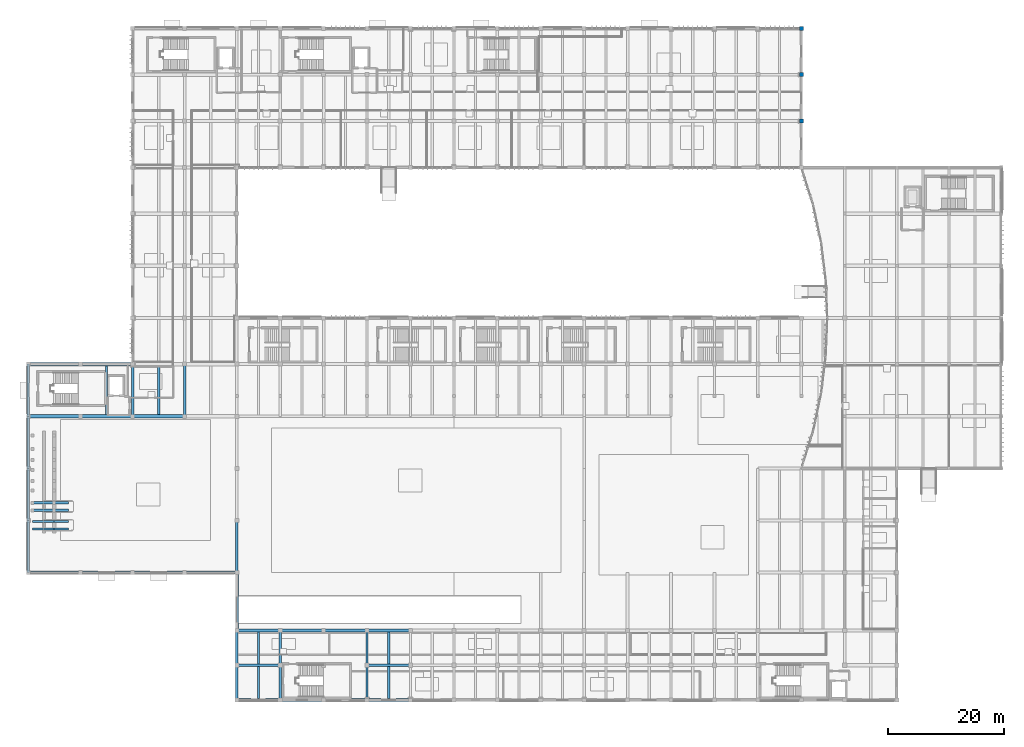
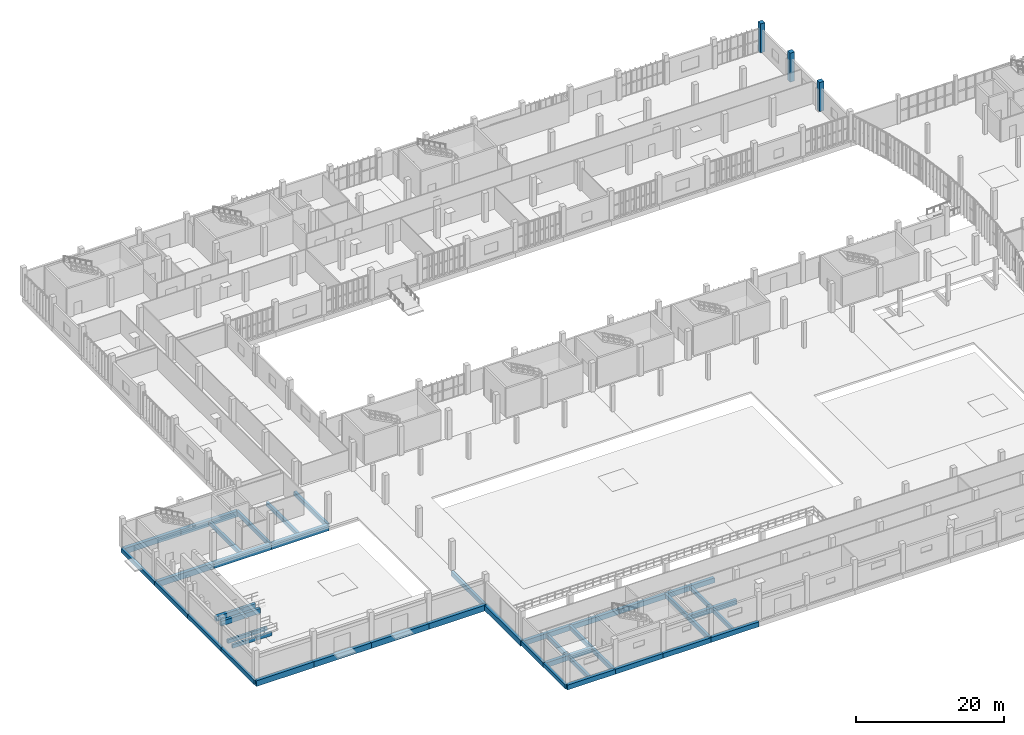
# One storey, part 6 of 72: 47 beams, 3 columns.
"""IFC4 building model written with IfcOpenShell, lengths in metres."""

from ifc_helpers import new_model, si_unit, direction, frame, origin, origin_2d, place, context, subcontext, project, spatial, rectangle, extrude, material, material_profile, profile_set, type_object, element, save


model = new_model("IFC4")

# Units and contexts
model_context = context("Model", 3, precision=1e-05, world=origin(), true_north=direction((0.0, 1.0)))
body_context = subcontext(model_context, "Body", "Model", "MODEL_VIEW")
ifc_project = project(units=[si_unit("LENGTHUNIT", "METRE"), si_unit("AREAUNIT", "SQUARE_METRE"), si_unit("VOLUMEUNIT", "CUBIC_METRE"), si_unit("PLANEANGLEUNIT", "RADIAN"), si_unit("MASSUNIT", "GRAM", prefix="KILO")], contexts=[model_context])

# Site, building, storey
site_placement = place(None, origin())
site = spatial("IfcSite", under=ifc_project, at=site_placement, CompositionType="ELEMENT")
building_placement = place(site_placement, origin())
building = spatial("IfcBuilding", under=site, at=building_placement, Name="Vourika Railside Aquatics Centre", CompositionType="ELEMENT")
storey_placement = place(building_placement, origin())
storey = spatial("IfcBuildingStorey", under=building, at=storey_placement, Name="L00", CompositionType="ELEMENT", Elevation=0.0)

# Columns
ifc_material_1 = material(Name="Concrete C40/50", Category="concrete")
ifc_material_profile_1 = material_profile(ifc_material_1, rectangle(XDim=0.699951171875, YDim=0.699951171875, at=origin_2d()), Name="RC 700x700")
ifc_profile_set_1 = profile_set([ifc_material_profile_1], Name="Concrete C40/50")
column_type = type_object("IfcColumnType", Name="COL-RC700", PredefinedType="COLUMN", material=ifc_profile_set_1)
for number, where, z_axis, x_axis, name in (
    (1, (133.5, 100.0, 0.0), (0.0, 0.0, 1.0), (1.0, 0.0, 0.0), "Column col:L00:1335_1000"),
    (2, (133.5, 108.0, 0.0), (0.0, 0.0, 1.0), (1.0, 0.0, 0.0), "Column col:L00:1335_1080"),
    (3, (133.5, 116.0, 0.0), (0.0, 0.0, 1.0), (1.0, 0.0, 0.0), "Column col:L00:1335_1160"),
):
    element("IfcColumn", number, at=place(storey_placement, frame(where, z_axis=z_axis, x_axis=x_axis)), inside=storey, type_object=column_type, Name=name, PredefinedType="COLUMN", context=body_context, shape_type="SweptSolid", body=[
        extrude(rectangle(XDim=0.699951171875, YDim=0.699951171875, at=origin_2d()), origin(), (0.0, 0.0, 1.0), 4.800048828125),
    ])

# Beams
ifc_material_2 = material(Name="Concrete C35/45", Category="concrete")
ifc_material_profile_2 = material_profile(ifc_material_2, rectangle(XDim=0.39990234375, YDim=0.699951171875, at=origin_2d()), Name="RC 400x700")
ifc_profile_set_2 = profile_set([ifc_material_profile_2], Name="Concrete C35/45")
beam_type_1 = type_object("IfcBeamType", Name="BM-GIRD-400x700", PredefinedType="BEAM", material=ifc_profile_set_2)
for number, where, z_axis, x_axis, name in (
    (4, (0.0, 22.0, -0.669921875), (0.0, 1.0, 0.0), (-1.0, 0.0, 0.0), "Floor Girder GY-L00-188"),
    (5, (0.0, 31.0, -0.669921875), (0.0, 1.0, 0.0), (-1.0, 0.0, 0.0), "Floor Girder GY-L00-189"),
    (6, (0.0, 40.0, -0.669921875), (0.0, 1.0, 0.0), (-1.0, 0.0, 0.0), "Floor Girder GY-L00-190"),
    (7, (0.0, 49.0, -0.669921875), (0.0, 1.0, 0.0), (-1.0, 0.0, 0.0), "Floor Girder GY-L00-191"),
    (8, (18.0, 49.0, -0.669921875), (0.0, 1.0, 0.0), (-1.0, 0.0, 0.0), "Floor Girder GY-L00-192"),
    (9, (27.0, 49.0, -0.669921875), (0.0, 1.0, 0.0), (-1.0, 0.0, 0.0), "Floor Girder GY-L00-200"),
):
    element("IfcBeam", number, at=place(storey_placement, frame(where, z_axis=z_axis, x_axis=x_axis)), inside=storey, type_object=beam_type_1, Name=name, PredefinedType="BEAM", context=body_context, shape_type="SweptSolid", body=[
        extrude(rectangle(XDim=0.39990234375, YDim=0.699951171875, at=origin_2d()), origin(), (0.0, 0.0, 1.0), 9.0),
    ])
for number, where, z_axis, x_axis, name in (
    (10, (36.0, 0.0, -0.669921875), (0.0, 1.0, 0.0), (-1.0, 0.0, 0.0), "Floor Girder GY-L00-207"),
    (11, (36.0, 6.0, -0.669921875), (0.0, 1.0, 0.0), (-1.0, 0.0, 0.0), "Floor Girder GY-L00-208"),
):
    element("IfcBeam", number, at=place(storey_placement, frame(where, z_axis=z_axis, x_axis=x_axis)), inside=storey, type_object=beam_type_1, Name=name, PredefinedType="BEAM", context=body_context, shape_type="SweptSolid", body=[
        extrude(rectangle(XDim=0.39990234375, YDim=0.699951171875, at=origin_2d()), origin(), (0.0, 0.0, 1.0), 6.0),
    ])
beam_1_placement = place(storey_placement, frame((36.0, 22.0, -0.669921875), z_axis=(0.0, 1.0, 0.0), x_axis=(-1.0, 0.0, 0.0)))
element("IfcBeam", 12, at=beam_1_placement, inside=storey, type_object=beam_type_1, Name="Floor Girder GY-L00-210", PredefinedType="BEAM", context=body_context, shape_type="SweptSolid", body=[
    extrude(rectangle(XDim=0.39990234375, YDim=0.699951171875, at=origin_2d()), origin(), (0.0, 0.0, 1.0), 9.0),
])
for number, where, z_axis, x_axis, name in (
    (13, (43.5, 0.0, -0.669921875), (0.0, 1.0, 0.0), (-1.0, 0.0, 0.0), "Floor Girder GY-L00-221"),
    (14, (43.5, 6.0, -0.669921875), (0.0, 1.0, 0.0), (-1.0, 0.0, 0.0), "Floor Girder GY-L00-222"),
    (15, (58.5, 0.0, -0.669921875), (0.0, 1.0, 0.0), (-1.0, 0.0, 0.0), "Floor Girder GY-L00-232"),
    (16, (58.5, 6.0, -0.669921875), (0.0, 1.0, 0.0), (-1.0, 0.0, 0.0), "Floor Girder GY-L00-233"),
):
    element("IfcBeam", number, at=place(storey_placement, frame(where, z_axis=z_axis, x_axis=x_axis)), inside=storey, type_object=beam_type_1, Name=name, PredefinedType="BEAM", context=body_context, shape_type="SweptSolid", body=[
        extrude(rectangle(XDim=0.39990234375, YDim=0.699951171875, at=origin_2d()), origin(), (0.0, 0.0, 1.0), 6.0),
    ])
ifc_material_profile_3 = material_profile(ifc_material_1, rectangle(XDim=0.5, YDim=0.89990234375, at=origin_2d()), Name="RC 500x900")
ifc_profile_set_3 = profile_set([ifc_material_profile_3], Name="Concrete C40/50")
beam_type_2 = type_object("IfcBeamType", Name="BM-GIRD-500x900", PredefinedType="BEAM", material=ifc_profile_set_3)
beam_2_placement = place(storey_placement, frame((36.0, 12.0, -0.77001953125), z_axis=(0.0, 1.0, 0.0), x_axis=(-1.0, 0.0, 0.0)))
element("IfcBeam", 17, at=beam_2_placement, inside=storey, type_object=beam_type_2, Name="Floor Girder GY-L00-209", PredefinedType="BEAM", context=body_context, shape_type="SweptSolid", body=[
    extrude(rectangle(XDim=0.5, YDim=0.89990234375, at=origin_2d()), origin(), (0.0, 0.0, 1.0), 10.0),
])
ifc_material_profile_4 = material_profile(ifc_material_1, rectangle(XDim=0.550048828125, YDim=0.949951171875, at=origin_2d()), Name="RC 550x950")
ifc_profile_set_4 = profile_set([ifc_material_profile_4], Name="Concrete C40/50")
beam_type_3 = type_object("IfcBeamType", Name="BM-GIRD-550x950", PredefinedType="BEAM", material=ifc_profile_set_4)
for number, where, z_axis, x_axis, name in (
    (18, (0.0, 22.0, -0.794921875), (1.0, 0.0, 0.0), (0.0, 1.0, 0.0), "Floor Beam GX-L00-042"),
    (19, (9.0, 22.0, -0.794921875), (1.0, 0.0, 0.0), (0.0, 1.0, 0.0), "Floor Beam GX-L00-043"),
    (20, (18.0, 22.0, -0.794921875), (1.0, 0.0, 0.0), (0.0, 1.0, 0.0), "Floor Beam GX-L00-044"),
    (21, (27.0, 22.0, -0.794921875), (1.0, 0.0, 0.0), (0.0, 1.0, 0.0), "Floor Beam GX-L00-045"),
    (22, (0.0, 49.0, -0.794921875), (1.0, 0.0, 0.0), (0.0, 1.0, 0.0), "Floor Beam GX-L00-057"),
    (23, (9.0, 49.0, -0.794921875), (1.0, 0.0, 0.0), (0.0, 1.0, 0.0), "Floor Beam GX-L00-058"),
    (24, (18.0, 49.0, -0.794921875), (1.0, 0.0, 0.0), (0.0, 1.0, 0.0), "Floor Beam GX-L00-059"),
    (25, (0.0, 58.0, -0.794921875), (1.0, 0.0, 0.0), (0.0, 1.0, 0.0), "Floor Beam GX-L00-074"),
    (26, (9.0, 58.0, -0.794921875), (1.0, 0.0, 0.0), (0.0, 1.0, 0.0), "Floor Beam GX-L00-075"),
):
    element("IfcBeam", number, at=place(storey_placement, frame(where, z_axis=z_axis, x_axis=x_axis)), inside=storey, type_object=beam_type_3, Name=name, PredefinedType="BEAM", context=body_context, shape_type="SweptSolid", body=[
        extrude(rectangle(XDim=0.550048828125, YDim=0.949951171875, at=origin_2d()), origin(), (0.0, 0.0, 1.0), 9.0),
    ])
ifc_material_profile_5 = material_profile(ifc_material_2, rectangle(XDim=0.449951171875, YDim=0.800048828125, at=origin_2d()), Name="RC 450x800")
ifc_profile_set_5 = profile_set([ifc_material_profile_5], Name="Concrete C35/45")
beam_type_4 = type_object("IfcBeamType", Name="BM-RAKER-450x800", PredefinedType="BEAM", material=ifc_profile_set_5)
beam_3_placement = place(storey_placement, frame((0.719970703125, 32.75, 2.31005859375), z_axis=(1.0, 0.0, 0.0), x_axis=(0.0, 1.0, 0.0)))
element("IfcBeam", 27, at=beam_3_placement, inside=storey, type_object=beam_type_4, Name="Diving Platform 3.0 m Back-Span Beam 1", PredefinedType="BEAM", context=body_context, shape_type="SweptSolid", body=[
    extrude(rectangle(XDim=0.449951171875, YDim=0.800048828125, at=origin_2d()), origin(), (0.0, 0.0, 1.0), 3.72998046875),
])
beam_4_placement = place(storey_placement, frame((4.449951171875, 32.75, 2.31005859375), z_axis=(1.0, 0.0, 0.0), x_axis=(0.0, 1.0, 0.0)))
element("IfcBeam", 28, at=beam_4_placement, inside=storey, type_object=beam_type_4, Name="Diving Platform 3.0 m Cantilever Bracket Beam 1", PredefinedType="BEAM", context=body_context, shape_type="SweptSolid", body=[
    extrude(rectangle(XDim=0.449951171875, YDim=0.800048828125, at=origin_2d()), origin(), (0.0, 0.0, 1.0), 2.449951171875),
])
beam_5_placement = place(storey_placement, frame((0.719970703125, 34.050048828125, 2.31005859375), z_axis=(1.0, 0.0, 0.0), x_axis=(0.0, 1.0, 0.0)))
element("IfcBeam", 29, at=beam_5_placement, inside=storey, type_object=beam_type_4, Name="Diving Platform 3.0 m Back-Span Beam 2", PredefinedType="BEAM", context=body_context, shape_type="SweptSolid", body=[
    extrude(rectangle(XDim=0.449951171875, YDim=0.800048828125, at=origin_2d()), origin(), (0.0, 0.0, 1.0), 3.72998046875),
])
beam_6_placement = place(storey_placement, frame((4.449951171875, 34.050048828125, 2.31005859375), z_axis=(1.0, 0.0, 0.0), x_axis=(0.0, 1.0, 0.0)))
element("IfcBeam", 30, at=beam_6_placement, inside=storey, type_object=beam_type_4, Name="Diving Platform 3.0 m Cantilever Bracket Beam 2", PredefinedType="BEAM", context=body_context, shape_type="SweptSolid", body=[
    extrude(rectangle(XDim=0.449951171875, YDim=0.800048828125, at=origin_2d()), origin(), (0.0, 0.0, 1.0), 2.449951171875),
])
ifc_material_profile_6 = material_profile(ifc_material_2, rectangle(XDim=0.35009765625, YDim=0.60009765625, at=origin_2d()), Name="RC 350x600")
ifc_profile_set_6 = profile_set([ifc_material_profile_6], Name="Concrete C35/45")
beam_type_5 = type_object("IfcBeamType", Name="BM-SEC-350x600", PredefinedType="JOIST", material=ifc_profile_set_6)
beam_7_placement = place(storey_placement, frame((0.719970703125, 29.550048828125, 0.449951171875), z_axis=(1.0, 0.0, 0.0), x_axis=(0.0, 1.0, 0.0)))
element("IfcBeam", 31, at=beam_7_placement, inside=storey, type_object=beam_type_5, Name="Diving Platform 1.0 m Back-Span Beam 1", PredefinedType="JOIST", context=body_context, shape_type="SweptSolid", body=[
    extrude(rectangle(XDim=0.35009765625, YDim=0.60009765625, at=origin_2d()), origin(), (0.0, 0.0, 1.0), 3.72998046875),
])
beam_8_placement = place(storey_placement, frame((4.449951171875, 29.550048828125, 0.449951171875), z_axis=(1.0, 0.0, 0.0), x_axis=(0.0, 1.0, 0.0)))
element("IfcBeam", 32, at=beam_8_placement, inside=storey, type_object=beam_type_5, Name="Diving Platform 1.0 m Cantilever Bracket Beam 1", PredefinedType="JOIST", context=body_context, shape_type="SweptSolid", body=[
    extrude(rectangle(XDim=0.35009765625, YDim=0.60009765625, at=origin_2d()), origin(), (0.0, 0.0, 1.0), 2.449951171875),
])
beam_9_placement = place(storey_placement, frame((0.719970703125, 30.85009765625, 0.449951171875), z_axis=(1.0, 0.0, 0.0), x_axis=(0.0, 1.0, 0.0)))
element("IfcBeam", 33, at=beam_9_placement, inside=storey, type_object=beam_type_5, Name="Diving Platform 1.0 m Back-Span Beam 2", PredefinedType="JOIST", context=body_context, shape_type="SweptSolid", body=[
    extrude(rectangle(XDim=0.35009765625, YDim=0.60009765625, at=origin_2d()), origin(), (0.0, 0.0, 1.0), 3.72998046875),
])
beam_10_placement = place(storey_placement, frame((4.449951171875, 30.85009765625, 0.449951171875), z_axis=(1.0, 0.0, 0.0), x_axis=(0.0, 1.0, 0.0)))
element("IfcBeam", 34, at=beam_10_placement, inside=storey, type_object=beam_type_5, Name="Diving Platform 1.0 m Cantilever Bracket Beam 2", PredefinedType="JOIST", context=body_context, shape_type="SweptSolid", body=[
    extrude(rectangle(XDim=0.35009765625, YDim=0.60009765625, at=origin_2d()), origin(), (0.0, 0.0, 1.0), 2.449951171875),
])
ifc_material_profile_7 = material_profile(ifc_material_2, rectangle(XDim=0.3798828125, YDim=0.64990234375, at=origin_2d()), Name="RC 380x650")
ifc_profile_set_7 = profile_set([ifc_material_profile_7], Name="Concrete C35/45")
beam_type_6 = type_object("IfcBeamType", Name="BM-SEC-380x650", PredefinedType="JOIST", material=ifc_profile_set_7)
for number, where, z_axis, x_axis, name in (
    (35, (39.75, 0.25, -0.64501953125), (0.0, 1.0, 0.0), (-1.0, 0.0, 0.0), "Secondary Joist JY-L00-350"),
    (36, (62.25, 0.25, -0.64501953125), (0.0, 1.0, 0.0), (-1.0, 0.0, 0.0), "Secondary Joist JY-L00-351"),
    (37, (39.75, 6.25, -0.64501953125), (0.0, 1.0, 0.0), (-1.0, 0.0, 0.0), "Secondary Joist JY-L00-361"),
    (38, (62.25, 6.25, -0.64501953125), (0.0, 1.0, 0.0), (-1.0, 0.0, 0.0), "Secondary Joist JY-L00-362"),
):
    element("IfcBeam", number, at=place(storey_placement, frame(where, z_axis=z_axis, x_axis=x_axis)), inside=storey, type_object=beam_type_6, Name=name, PredefinedType="JOIST", context=body_context, shape_type="SweptSolid", body=[
        extrude(rectangle(XDim=0.3798828125, YDim=0.64990234375, at=origin_2d()), origin(), (0.0, 0.0, 1.0), 5.5),
    ])
for number, where, z_axis, x_axis, name in (
    (39, (13.5, 49.27490234375, -0.64501953125), (0.0, 1.0, 0.0), (-1.0, 0.0, 0.0), "Secondary Joist JY-L00-384"),
    (40, (22.5, 49.27490234375, -0.64501953125), (0.0, 1.0, 0.0), (-1.0, 0.0, 0.0), "Secondary Joist JY-L00-385"),
):
    element("IfcBeam", number, at=place(storey_placement, frame(where, z_axis=z_axis, x_axis=x_axis)), inside=storey, type_object=beam_type_6, Name=name, PredefinedType="JOIST", context=body_context, shape_type="SweptSolid", body=[
        extrude(rectangle(XDim=0.3798828125, YDim=0.64990234375, at=origin_2d()), origin(), (0.0, 0.0, 1.0), 8.4501953125),
    ])
ifc_material_profile_8 = material_profile(ifc_material_1, rectangle(XDim=0.5, YDim=0.800048828125, at=origin_2d()), Name="RC 500x800")
ifc_profile_set_8 = profile_set([ifc_material_profile_8], Name="Concrete C40/50")
beam_type_7 = type_object("IfcBeamType", Name="BM-TIE-500x800", PredefinedType="BEAM", material=ifc_profile_set_8)
for number, where, z_axis, x_axis, name in (
    (41, (36.0, 0.0, -0.719970703125), (1.0, 0.0, 0.0), (0.0, 1.0, 0.0), "Floor Beam GX-L00-001"),
    (42, (43.5, 0.0, -0.719970703125), (1.0, 0.0, 0.0), (0.0, 1.0, 0.0), "Floor Beam GX-L00-002"),
    (43, (51.0, 0.0, -0.719970703125), (1.0, 0.0, 0.0), (0.0, 1.0, 0.0), "Floor Beam GX-L00-003"),
    (44, (58.5, 0.0, -0.719970703125), (1.0, 0.0, 0.0), (0.0, 1.0, 0.0), "Floor Beam GX-L00-004"),
    (45, (36.0, 6.0, -0.719970703125), (1.0, 0.0, 0.0), (0.0, 1.0, 0.0), "Floor Beam GX-L00-016"),
    (46, (58.5, 6.0, -0.719970703125), (1.0, 0.0, 0.0), (0.0, 1.0, 0.0), "Floor Beam GX-L00-017"),
    (47, (36.0, 12.0, -0.719970703125), (1.0, 0.0, 0.0), (0.0, 1.0, 0.0), "Floor Beam GX-L00-027"),
    (48, (43.5, 12.0, -0.719970703125), (1.0, 0.0, 0.0), (0.0, 1.0, 0.0), "Floor Beam GX-L00-028"),
    (49, (51.0, 12.0, -0.719970703125), (1.0, 0.0, 0.0), (0.0, 1.0, 0.0), "Floor Beam GX-L00-029"),
    (50, (58.5, 12.0, -0.719970703125), (1.0, 0.0, 0.0), (0.0, 1.0, 0.0), "Floor Beam GX-L00-030"),
):
    element("IfcBeam", number, at=place(storey_placement, frame(where, z_axis=z_axis, x_axis=x_axis)), inside=storey, type_object=beam_type_7, Name=name, PredefinedType="BEAM", context=body_context, shape_type="SweptSolid", body=[
        extrude(rectangle(XDim=0.5, YDim=0.800048828125, at=origin_2d()), origin(), (0.0, 0.0, 1.0), 7.5),
    ])

save(model, "model.ifc")
